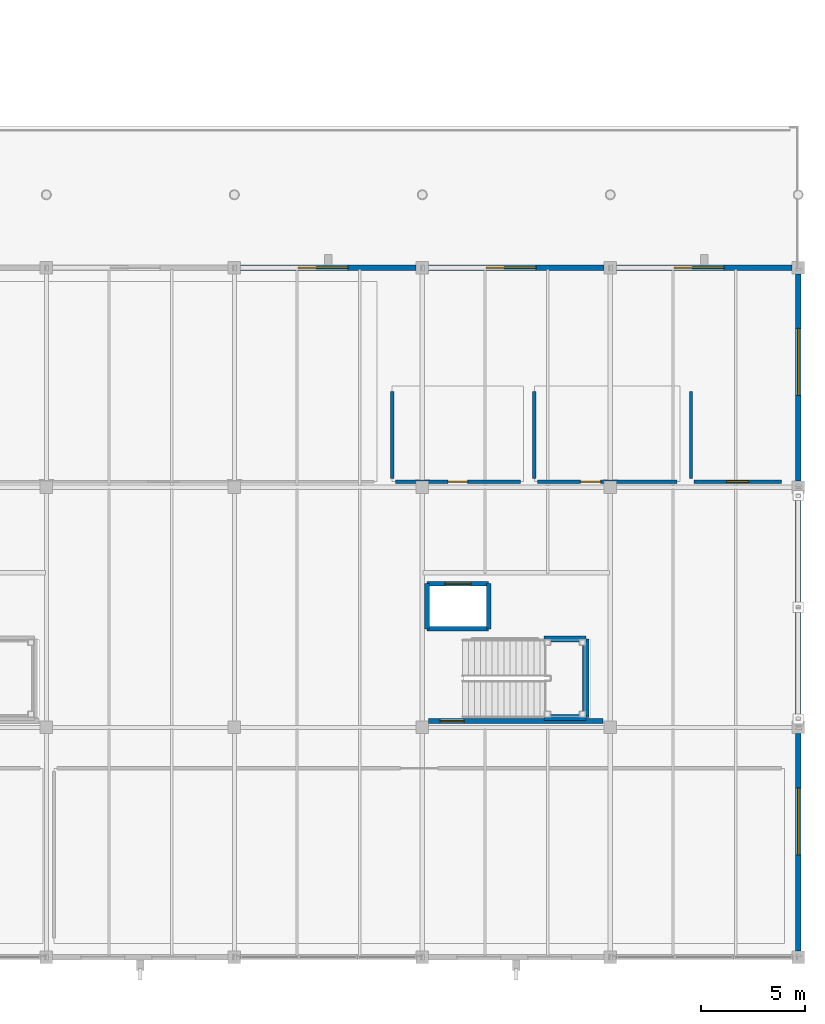
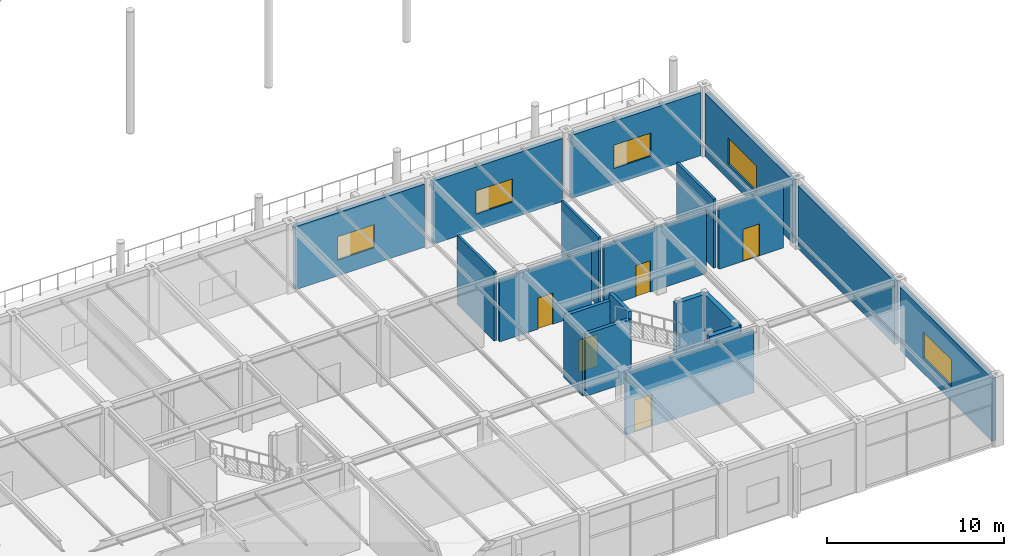
# One storey, part 88 of 143: 20 walls, 5 doors, 5 windows, 10 openings.
"""IFC4 building model written with IfcOpenShell, lengths in metres."""

from ifc_helpers import new_model, si_unit, direction, frame, frame_2d, origin, place, context, subcontext, project, spatial, rectangle, extrude, material, layer, layer_set, type_object, element, fill, save


model = new_model("IFC4")

# Units and contexts
model_context = context("Model", 3, precision=1e-05, world=origin(), true_north=direction((0.0, 1.0)))
body_context = subcontext(model_context, "Body", "Model", "MODEL_VIEW")
ifc_project = project(units=[si_unit("LENGTHUNIT", "METRE"), si_unit("AREAUNIT", "SQUARE_METRE"), si_unit("VOLUMEUNIT", "CUBIC_METRE"), si_unit("PLANEANGLEUNIT", "RADIAN"), si_unit("MASSUNIT", "GRAM", prefix="KILO")], contexts=[model_context])

# Site, building, storey
site_placement = place(None, origin())
site = spatial("IfcSite", under=ifc_project, at=site_placement, CompositionType="ELEMENT")
building_placement = place(site_placement, origin())
building = spatial("IfcBuilding", under=site, at=building_placement, Name="Marlcrest Central Station", CompositionType="ELEMENT")
storey_placement = place(building_placement, frame((0.0, 0.0, 4.800048828125)))
storey = spatial("IfcBuildingStorey", under=building, at=storey_placement, Name="L01", CompositionType="ELEMENT", Elevation=4.800048828125)

# Wall, opening, window
ifc_material_1 = material(Name="Precast concrete C40/50", Category="concrete")
ifc_layer_1 = layer(ifc_material_1, 0.260009765625, Name="EW-03")
ifc_layer_set_1 = layer_set([ifc_layer_1], Name="Precast concrete C40/50")
wall_type_1 = type_object("IfcWallType", Name="EW-03", PredefinedType="SOLIDWALL", material=ifc_layer_set_1)
wall_1_placement = place(storey_placement, frame((189.300048828125, 33.0, 0.0), z_axis=(0.0, 0.0, 1.0), x_axis=(1.0, 0.0, 0.0)))
wall_1 = element("IfcWall", 1, at=wall_1_placement, inside=storey, type_object=wall_type_1, Name="ewall-L01-0065", PredefinedType="SOLIDWALL", context=body_context, shape_type="SweptSolid", body=[
    extrude(rectangle(XDim=8.39990234375, YDim=0.260009765625, at=frame_2d((4.199951171875, 0.0))), origin(), (0.0, 0.0, 1.0), 4.349853515625),
])
opening_1_placement = place(wall_1_placement, frame((2.75, 0.0, 1.10009765625)))
opening_1 = element("IfcOpeningElement", 2, at=opening_1_placement, cuts=wall_1, Name="Opening WN-02", PredefinedType="OPENING", context=body_context, shape_type="SweptSolid", body=[
    extrude(rectangle(XDim=2.39990234375, YDim=1.60009765625, at=frame_2d((1.199951171875, 0.800048828125))), frame((0.0, 0.139892578125, 0.0), z_axis=(0.0, -1.0, 0.0), x_axis=(1.0, 0.0, 0.0)), (0.0, 0.0, 1.0), 0.280029296875),
])
ifc_material_2 = material(Name="Thermally broken bronze-anodised aluminium and laminated low-E glass", Category="aluminium")
window_type_1 = type_object("IfcWindowType", Name="WN-02", PartitioningType="SINGLE_PANEL", PredefinedType="WINDOW", material=ifc_material_2)
window_1_placement = place(opening_1_placement, origin())
window_1 = element("IfcWindow", 3, at=window_1_placement, inside=storey, type_object=window_type_1, Name="ewin-L01-0030", OverallHeight=1.60009765625, OverallWidth=2.39990234375, PartitioningType="SINGLE_PANEL", PredefinedType="WINDOW", context=body_context, shape_type="SweptSolid", body=[
    extrude(rectangle(XDim=2.39990234375, YDim=1.60009765625, at=frame_2d((1.199951171875, 0.800048828125))), frame((0.0, 0.030029296875, 0.0), z_axis=(0.0, -1.0, 0.0), x_axis=(1.0, 0.0, 0.0)), (0.0, 0.0, 1.0), 0.06005859375),
])
fill(opening_1, window_1)

wall_2_placement = place(storey_placement, frame((198.300048828125, 33.0, 0.0), z_axis=(0.0, 0.0, 1.0), x_axis=(1.0, 0.0, 0.0)))
wall_2 = element("IfcWall", 4, at=wall_2_placement, inside=storey, type_object=wall_type_1, Name="ewall-L01-0067", PredefinedType="SOLIDWALL", context=body_context, shape_type="SweptSolid", body=[
    extrude(rectangle(XDim=8.39990234375, YDim=0.260009765625, at=frame_2d((4.199951171875, 0.0))), origin(), (0.0, 0.0, 1.0), 4.349853515625),
])
opening_2_placement = place(wall_2_placement, frame((2.75, 0.0, 1.10009765625)))
opening_2 = element("IfcOpeningElement", 5, at=opening_2_placement, cuts=wall_2, Name="Opening WN-02", PredefinedType="OPENING", context=body_context, shape_type="SweptSolid", body=[
    extrude(rectangle(XDim=2.39990234375, YDim=1.60009765625, at=frame_2d((1.199951171875, 0.800048828125))), frame((0.0, 0.139892578125, 0.0), z_axis=(0.0, -1.0, 0.0), x_axis=(1.0, 0.0, 0.0)), (0.0, 0.0, 1.0), 0.280029296875),
])
window_2_placement = place(opening_2_placement, origin())
window_2 = element("IfcWindow", 6, at=window_2_placement, inside=storey, type_object=window_type_1, Name="ewin-L01-0033", OverallHeight=1.60009765625, OverallWidth=2.39990234375, PartitioningType="SINGLE_PANEL", PredefinedType="WINDOW", context=body_context, shape_type="SweptSolid", body=[
    extrude(rectangle(XDim=2.39990234375, YDim=1.60009765625, at=frame_2d((1.199951171875, 0.800048828125))), frame((0.0, 0.030029296875, 0.0), z_axis=(0.0, -1.0, 0.0), x_axis=(1.0, 0.0, 0.0)), (0.0, 0.0, 1.0), 0.06005859375),
])
fill(opening_2, window_2)

wall_3_placement = place(storey_placement, frame((207.300048828125, 33.0, 0.0), z_axis=(0.0, 0.0, 1.0), x_axis=(1.0, 0.0, 0.0)))
wall_3 = element("IfcWall", 7, at=wall_3_placement, inside=storey, type_object=wall_type_1, Name="ewall-L01-0068", PredefinedType="SOLIDWALL", context=body_context, shape_type="SweptSolid", body=[
    extrude(rectangle(XDim=8.39990234375, YDim=0.260009765625, at=frame_2d((4.199951171875, 0.0))), origin(), (0.0, 0.0, 1.0), 4.349853515625),
])
opening_3_placement = place(wall_3_placement, frame((2.75, 0.0, 1.10009765625)))
opening_3 = element("IfcOpeningElement", 8, at=opening_3_placement, cuts=wall_3, Name="Opening WN-02", PredefinedType="OPENING", context=body_context, shape_type="SweptSolid", body=[
    extrude(rectangle(XDim=2.39990234375, YDim=1.60009765625, at=frame_2d((1.199951171875, 0.800048828125))), frame((0.0, 0.139892578125, 0.0), z_axis=(0.0, -1.0, 0.0), x_axis=(1.0, 0.0, 0.0)), (0.0, 0.0, 1.0), 0.280029296875),
])
window_3_placement = place(opening_3_placement, origin())
window_3 = element("IfcWindow", 9, at=window_3_placement, inside=storey, type_object=window_type_1, Name="ewin-L01-0034", OverallHeight=1.60009765625, OverallWidth=2.39990234375, PartitioningType="SINGLE_PANEL", PredefinedType="WINDOW", context=body_context, shape_type="SweptSolid", body=[
    extrude(rectangle(XDim=2.39990234375, YDim=1.60009765625, at=frame_2d((1.199951171875, 0.800048828125))), frame((0.0, 0.030029296875, 0.0), z_axis=(0.0, -1.0, 0.0), x_axis=(1.0, 0.0, 0.0)), (0.0, 0.0, 1.0), 0.06005859375),
])
fill(opening_3, window_3)

wall_4_placement = place(storey_placement, frame((216.0, 10.699951171875, 0.0), z_axis=(0.0, 0.0, 1.0), x_axis=(0.0, -1.0, 0.0)))
wall_4 = element("IfcWall", 10, at=wall_4_placement, inside=storey, type_object=wall_type_1, Name="ewall-L01-0070", PredefinedType="SOLIDWALL", context=body_context, shape_type="SweptSolid", body=[
    extrude(rectangle(XDim=10.39990234375, YDim=0.260009765625, at=frame_2d((5.199951171875, 0.0))), origin(), (0.0, 0.0, 1.0), 4.349853515625),
])
opening_4_placement = place(wall_4_placement, frame((2.60009765625, 0.0, 1.050048828125)))
opening_4 = element("IfcOpeningElement", 11, at=opening_4_placement, cuts=wall_4, Name="Opening WN-07", PredefinedType="OPENING", context=body_context, shape_type="SweptSolid", body=[
    extrude(rectangle(XDim=3.199951171875, YDim=1.800048828125, at=frame_2d((1.60009765625, 0.89990234375))), frame((0.0, 0.139892578125, 0.0), z_axis=(0.0, -1.0, 0.0), x_axis=(1.0, 0.0, 0.0)), (0.0, 0.0, 1.0), 0.280029296875),
])
window_type_2 = type_object("IfcWindowType", Name="WN-07", PartitioningType="SINGLE_PANEL", PredefinedType="WINDOW", material=ifc_material_2)
window_4_placement = place(opening_4_placement, origin())
window_4 = element("IfcWindow", 12, at=window_4_placement, inside=storey, type_object=window_type_2, Name="ewin-L01-0035", OverallHeight=1.800048828125, OverallWidth=3.199951171875, PartitioningType="SINGLE_PANEL", PredefinedType="WINDOW", context=body_context, shape_type="SweptSolid", body=[
    extrude(rectangle(XDim=3.199951171875, YDim=1.800048828125, at=frame_2d((1.60009765625, 0.89990234375))), frame((0.0, 0.030029296875, 0.0), z_axis=(0.0, -1.0, 0.0), x_axis=(1.0, 0.0, 0.0)), (0.0, 0.0, 1.0), 0.06005859375),
])
fill(opening_4, window_4)

# Wall
wall_5_placement = place(storey_placement, frame((216.0, 22.199951171875, 0.0), z_axis=(0.0, 0.0, 1.0), x_axis=(0.0, -1.0, 0.0)))
element("IfcWall", 13, at=wall_5_placement, inside=storey, type_object=wall_type_1, Name="ewall-L01-0072", PredefinedType="SOLIDWALL", context=body_context, shape_type="SweptSolid", body=[
    extrude(rectangle(XDim=10.89990234375, YDim=0.260009765625, at=frame_2d((5.449951171875, 0.0))), origin(), (0.0, 0.0, 1.0), 4.349853515625),
])

# Wall, opening, window
wall_6_placement = place(storey_placement, frame((216.0, 32.699951171875, 0.0), z_axis=(0.0, 0.0, 1.0), x_axis=(0.0, -1.0, 0.0)))
wall_6 = element("IfcWall", 14, at=wall_6_placement, inside=storey, type_object=wall_type_1, Name="ewall-L01-0074", PredefinedType="SOLIDWALL", context=body_context, shape_type="SweptSolid", body=[
    extrude(rectangle(XDim=9.89990234375, YDim=0.260009765625, at=frame_2d((4.949951171875, 0.0))), origin(), (0.0, 0.0, 1.0), 4.349853515625),
])
opening_5_placement = place(wall_6_placement, frame((2.60009765625, 0.0, 1.050048828125)))
opening_5 = element("IfcOpeningElement", 15, at=opening_5_placement, cuts=wall_6, Name="Opening WN-07", PredefinedType="OPENING", context=body_context, shape_type="SweptSolid", body=[
    extrude(rectangle(XDim=3.199951171875, YDim=1.800048828125, at=frame_2d((1.60009765625, 0.89990234375))), frame((0.0, 0.139892578125, 0.0), z_axis=(0.0, -1.0, 0.0), x_axis=(1.0, 0.0, 0.0)), (0.0, 0.0, 1.0), 0.280029296875),
])
window_5_placement = place(opening_5_placement, origin())
window_5 = element("IfcWindow", 16, at=window_5_placement, inside=storey, type_object=window_type_2, Name="ewin-L01-0037", OverallHeight=1.800048828125, OverallWidth=3.199951171875, PartitioningType="SINGLE_PANEL", PredefinedType="WINDOW", context=body_context, shape_type="SweptSolid", body=[
    extrude(rectangle(XDim=3.199951171875, YDim=1.800048828125, at=frame_2d((1.60009765625, 0.89990234375))), frame((0.0, 0.030029296875, 0.0), z_axis=(0.0, -1.0, 0.0), x_axis=(1.0, 0.0, 0.0)), (0.0, 0.0, 1.0), 0.06005859375),
])
fill(opening_5, window_5)

# Wall, opening, door
ifc_material_3 = material(Name="Moisture-resistant tiled sanitary partition")
ifc_layer_2 = layer(ifc_material_3, 0.159912109375, Name="PT-03")
ifc_layer_set_2 = layer_set([ifc_layer_2], Name="Moisture-resistant tiled sanitary partition")
wall_type_2 = type_object("IfcWallType", Name="PT-03", PredefinedType="PARTITIONING", material=ifc_layer_set_2)
wall_7_placement = place(storey_placement, frame((202.68994140625, 22.760009765625, 0.0), z_axis=(0.0, 0.0, 1.0), x_axis=(-1.0, 0.0, 0.0)))
wall_7 = element("IfcWall", 17, at=wall_7_placement, inside=storey, type_object=wall_type_2, Name="iwall-L01-00086", PredefinedType="PARTITIONING", context=body_context, shape_type="SweptSolid", body=[
    extrude(rectangle(XDim=5.97998046875, YDim=0.159912109375, at=frame_2d((2.989990234375, 0.0))), origin(), (0.0, 0.0, 1.0), 4.284912109375),
])
opening_6_placement = place(wall_7_placement, frame((2.514892578125, 0.0, 0.0)))
opening_6 = element("IfcOpeningElement", 18, at=opening_6_placement, cuts=wall_7, Name="Opening ID-01", PredefinedType="OPENING", context=body_context, shape_type="SweptSolid", body=[
    extrude(rectangle(XDim=0.949951171875, YDim=2.14990234375, at=frame_2d((0.47509765625, 1.074951171875))), frame((0.0, 0.08984375, 0.0), z_axis=(0.0, -1.0, 0.0), x_axis=(1.0, 0.0, 0.0)), (0.0, 0.0, 1.0), 0.179931640625),
])
ifc_material_4 = material(Name="Solid-core hardwood acoustic door", Category="wood")
door_type_1 = type_object("IfcDoorType", Name="ID-01", OperationType="NOTDEFINED", PredefinedType="DOOR", material=ifc_material_4)
door_1_placement = place(opening_6_placement, origin())
door_1 = element("IfcDoor", 19, at=door_1_placement, inside=storey, type_object=door_type_1, Name="L01-WC-E1 0052", OperationType="SINGLE_SWING_RIGHT", OverallHeight=2.14990234375, OverallWidth=0.949951171875, PredefinedType="DOOR", context=body_context, shape_type="SweptSolid", body=[
    extrude(rectangle(XDim=0.949951171875, YDim=2.14990234375, at=frame_2d((0.47509765625, 1.074951171875))), frame((0.0, 0.02490234375, 0.0), z_axis=(0.0, -1.0, 0.0), x_axis=(1.0, 0.0, 0.0)), (0.0, 0.0, 1.0), 0.050048828125),
])
fill(opening_6, door_1)

# Wall
wall_8_placement = place(storey_placement, frame((196.56005859375, 22.909912109375, 0.0), z_axis=(0.0, 0.0, 1.0), x_axis=(0.0, 1.0, 0.0)))
element("IfcWall", 20, at=wall_8_placement, inside=storey, type_object=wall_type_2, Name="iwall-L01-00087", PredefinedType="PARTITIONING", context=body_context, shape_type="SweptSolid", body=[
    extrude(rectangle(XDim=4.18017578125, YDim=0.159912109375, at=frame_2d((2.090087890625, 0.0))), origin(), (0.0, 0.0, 1.0), 4.75),
])

# Wall, opening, door
wall_9_placement = place(storey_placement, frame((210.18994140625, 22.760009765625, 0.0), z_axis=(0.0, 0.0, 1.0), x_axis=(-1.0, 0.0, 0.0)))
wall_9 = element("IfcWall", 21, at=wall_9_placement, inside=storey, type_object=wall_type_2, Name="iwall-L01-00088", PredefinedType="PARTITIONING", context=body_context, shape_type="SweptSolid", body=[
    extrude(rectangle(XDim=6.679931640625, YDim=0.159912109375, at=frame_2d((3.33984375, 0.0))), origin(), (0.0, 0.0, 1.0), 4.284912109375),
])
opening_7_placement = place(wall_9_placement, frame((3.657958984375, 0.0, 0.0)))
opening_7 = element("IfcOpeningElement", 22, at=opening_7_placement, cuts=wall_9, Name="Opening ID-01", PredefinedType="OPENING", context=body_context, shape_type="SweptSolid", body=[
    extrude(rectangle(XDim=0.949951171875, YDim=2.14990234375, at=frame_2d((0.47509765625, 1.074951171875))), frame((0.0, 0.08984375, 0.0), z_axis=(0.0, -1.0, 0.0), x_axis=(1.0, 0.0, 0.0)), (0.0, 0.0, 1.0), 0.179931640625),
])
door_2_placement = place(opening_7_placement, origin())
door_2 = element("IfcDoor", 23, at=door_2_placement, inside=storey, type_object=door_type_1, Name="L01-WC-E2 0053", OperationType="SINGLE_SWING_LEFT", OverallHeight=2.14990234375, OverallWidth=0.949951171875, PredefinedType="DOOR", context=body_context, shape_type="SweptSolid", body=[
    extrude(rectangle(XDim=0.949951171875, YDim=2.14990234375, at=frame_2d((0.47509765625, 1.074951171875))), frame((0.0, 0.02490234375, 0.0), z_axis=(0.0, -1.0, 0.0), x_axis=(1.0, 0.0, 0.0)), (0.0, 0.0, 1.0), 0.050048828125),
])
fill(opening_7, door_2)

# Wall
wall_10_placement = place(storey_placement, frame((203.360107421875, 22.909912109375, 0.0), z_axis=(0.0, 0.0, 1.0), x_axis=(0.0, 1.0, 0.0)))
element("IfcWall", 24, at=wall_10_placement, inside=storey, type_object=wall_type_2, Name="iwall-L01-00089", PredefinedType="PARTITIONING", context=body_context, shape_type="SweptSolid", body=[
    extrude(rectangle(XDim=4.18017578125, YDim=0.159912109375, at=frame_2d((2.090087890625, 0.0))), origin(), (0.0, 0.0, 1.0), 4.75),
])

# Wall, opening, door
wall_11_placement = place(storey_placement, frame((215.18994140625, 22.760009765625, 0.0), z_axis=(0.0, 0.0, 1.0), x_axis=(-1.0, 0.0, 0.0)))
wall_11 = element("IfcWall", 25, at=wall_11_placement, inside=storey, type_object=wall_type_2, Name="iwall-L01-00090", PredefinedType="PARTITIONING", context=body_context, shape_type="SweptSolid", body=[
    extrude(rectangle(XDim=4.179931640625, YDim=0.159912109375, at=frame_2d((2.08984375, 0.0))), origin(), (0.0, 0.0, 1.0), 4.284912109375),
])
opening_8_placement = place(wall_11_placement, frame((1.56494140625, 0.0, 0.0)))
opening_8 = element("IfcOpeningElement", 26, at=opening_8_placement, cuts=wall_11, Name="Opening ID-03", PredefinedType="OPENING", context=body_context, shape_type="SweptSolid", body=[
    extrude(rectangle(XDim=1.050048828125, YDim=2.199951171875, at=frame_2d((0.52490234375, 1.10009765625))), frame((0.0, 0.08984375, 0.0), z_axis=(0.0, -1.0, 0.0), x_axis=(1.0, 0.0, 0.0)), (0.0, 0.0, 1.0), 0.179931640625),
])
ifc_material_5 = material(Name="Accessible sanitary outward-opening door")
door_type_2 = type_object("IfcDoorType", Name="ID-03", OperationType="NOTDEFINED", PredefinedType="DOOR", material=ifc_material_5)
door_3_placement = place(opening_8_placement, origin())
door_3 = element("IfcDoor", 27, at=door_3_placement, inside=storey, type_object=door_type_2, Name="L01-WC-EA 0054", OperationType="SINGLE_SWING_RIGHT", OverallHeight=2.199951171875, OverallWidth=1.050048828125, PredefinedType="DOOR", context=body_context, shape_type="SweptSolid", body=[
    extrude(rectangle(XDim=1.050048828125, YDim=2.199951171875, at=frame_2d((0.52490234375, 1.10009765625))), frame((0.0, 0.02490234375, 0.0), z_axis=(0.0, -1.0, 0.0), x_axis=(1.0, 0.0, 0.0)), (0.0, 0.0, 1.0), 0.050048828125),
])
fill(opening_8, door_3)

# Wall
wall_12_placement = place(storey_placement, frame((210.860107421875, 22.909912109375, 0.0), z_axis=(0.0, 0.0, 1.0), x_axis=(0.0, 1.0, 0.0)))
element("IfcWall", 28, at=wall_12_placement, inside=storey, type_object=wall_type_2, Name="iwall-L01-00091", PredefinedType="PARTITIONING", context=body_context, shape_type="SweptSolid", body=[
    extrude(rectangle(XDim=4.18017578125, YDim=0.159912109375, at=frame_2d((2.090087890625, 0.0))), origin(), (0.0, 0.0, 1.0), 4.75),
])

# Wall, opening, door
ifc_material_6 = material(Name="Concrete C40/50", Category="concrete")
ifc_layer_3 = layer(ifc_material_6, 0.22998046875, Name="SHW-01")
ifc_layer_set_3 = layer_set([ifc_layer_3], Name="Concrete C40/50")
wall_type_3 = type_object("IfcWallType", Name="SHW-01", PredefinedType="SOLIDWALL", material=ifc_layer_set_3)
wall_13_placement = place(storey_placement, frame((198.219970703125, 17.8798828125, 0.0), z_axis=(0.0, 0.0, 1.0), x_axis=(1.0, 0.0, 0.0)))
wall_13 = element("IfcWall", 29, at=wall_13_placement, inside=storey, type_object=wall_type_3, Name="iwall-L01-00335", PredefinedType="SOLIDWALL", context=body_context, shape_type="SweptSolid", body=[
    extrude(rectangle(XDim=2.9599609375, YDim=0.22998046875, at=frame_2d((1.47998046875, 0.0))), origin(), (0.0, 0.0, 1.0), 4.284912109375),
])
opening_9_placement = place(wall_13_placement, frame((0.85498046875, 0.0, 0.0)))
opening_9 = element("IfcOpeningElement", 30, at=opening_9_placement, cuts=wall_13, Name="Opening LD-02", PredefinedType="OPENING", context=body_context, shape_type="SweptSolid", body=[
    extrude(rectangle(XDim=1.25, YDim=2.199951171875, at=frame_2d((0.625, 1.10009765625))), frame((0.0, 0.125, 0.0), z_axis=(0.0, -1.0, 0.0), x_axis=(1.0, 0.0, 0.0)), (0.0, 0.0, 1.0), 0.25),
])
ifc_material_7 = material(Name="Stainless steel stretcher/firefighting lift landing door", Category="steel")
door_type_3 = type_object("IfcDoorType", Name="LD-02", OperationType="DOUBLE_DOOR_SLIDING", PredefinedType="DOOR", material=ifc_material_7)
door_4_placement = place(opening_9_placement, origin())
door_4 = element("IfcDoor", 31, at=door_4_placement, inside=storey, type_object=door_type_3, Name="LF-R2 Lift Landing Door 0154", OperationType="DOUBLE_DOOR_SLIDING", OverallHeight=2.199951171875, OverallWidth=1.25, PredefinedType="DOOR", context=body_context, shape_type="SweptSolid", body=[
    extrude(rectangle(XDim=1.25, YDim=2.199951171875, at=frame_2d((0.625, 1.10009765625))), frame((0.0, 0.02490234375, 0.0), z_axis=(0.0, -1.0, 0.0), x_axis=(1.0, 0.0, 0.0)), (0.0, 0.0, 1.0), 0.050048828125),
])
fill(opening_9, door_4)

# Walls
wall_14_placement = place(storey_placement, frame((201.179931640625, 15.719970703125, 0.0), z_axis=(0.0, 0.0, 1.0), x_axis=(-1.0, 0.0, 0.0)))
element("IfcWall", 32, at=wall_14_placement, inside=storey, type_object=wall_type_3, Name="iwall-L01-00336", PredefinedType="SOLIDWALL", context=body_context, shape_type="SweptSolid", body=[
    extrude(rectangle(XDim=2.9599609375, YDim=0.22998046875, at=frame_2d((1.47998046875, 0.0))), origin(), (0.0, 0.0, 1.0), 4.284912109375),
])
wall_15_placement = place(storey_placement, frame((198.219970703125, 15.719970703125, 0.0), z_axis=(0.0, 0.0, 1.0), x_axis=(0.0, 1.0, 0.0)))
element("IfcWall", 33, at=wall_15_placement, inside=storey, type_object=wall_type_3, Name="iwall-L01-00337", PredefinedType="SOLIDWALL", context=body_context, shape_type="SweptSolid", body=[
    extrude(rectangle(XDim=2.159912109375, YDim=0.22998046875, at=frame_2d((1.080078125, 0.0))), origin(), (0.0, 0.0, 1.0), 4.284912109375),
])
wall_16_placement = place(storey_placement, frame((201.179931640625, 17.8798828125, 0.0), z_axis=(0.0, 0.0, 1.0), x_axis=(0.0, -1.0, 0.0)))
element("IfcWall", 34, at=wall_16_placement, inside=storey, type_object=wall_type_3, Name="iwall-L01-00338", PredefinedType="SOLIDWALL", context=body_context, shape_type="SweptSolid", body=[
    extrude(rectangle(XDim=2.159912109375, YDim=0.22998046875, at=frame_2d((1.080078125, 0.0))), origin(), (0.0, 0.0, 1.0), 4.760009765625),
])

# Wall, opening, door
wall_17_placement = place(storey_placement, frame((198.300048828125, 11.300048828125, 0.0), z_axis=(0.0, 0.0, 1.0), x_axis=(1.0, 0.0, 0.0)))
wall_17 = element("IfcWall", 35, at=wall_17_placement, inside=storey, type_object=wall_type_3, Name="iwall-L01-00423", PredefinedType="SOLIDWALL", context=body_context, shape_type="SweptSolid", body=[
    extrude(rectangle(XDim=8.349853515625, YDim=0.22998046875, at=frame_2d((4.1748046875, 0.0))), origin(), (0.0, 0.0, 1.0), 4.284912109375),
])
opening_10_placement = place(wall_17_placement, frame((0.550048828125, 0.0, 0.0)))
opening_10 = element("IfcOpeningElement", 36, at=opening_10_placement, cuts=wall_17, Name="Opening FD-90", PredefinedType="OPENING", context=body_context, shape_type="SweptSolid", body=[
    extrude(rectangle(XDim=1.14990234375, YDim=2.199951171875, at=frame_2d((0.574951171875, 1.10009765625))), frame((0.0, 0.125, 0.0), z_axis=(0.0, -1.0, 0.0), x_axis=(1.0, 0.0, 0.0)), (0.0, 0.0, 1.0), 0.25),
])
ifc_material_8 = material(Name="90-minute stair and firefighting-lobby fire door")
door_type_4 = type_object("IfcDoorType", Name="FD-90", OperationType="NOTDEFINED", PredefinedType="DOOR", material=ifc_material_8)
door_5_placement = place(opening_10_placement, origin())
door_5 = element("IfcDoor", 37, at=door_5_placement, inside=storey, type_object=door_type_4, Name="ST-R21 Stair Enclosure Door 0180", OperationType="SINGLE_SWING_LEFT", OverallHeight=2.199951171875, OverallWidth=1.14990234375, PredefinedType="DOOR", context=body_context, shape_type="SweptSolid", body=[
    extrude(rectangle(XDim=1.14990234375, YDim=2.199951171875, at=frame_2d((0.574951171875, 1.10009765625))), frame((0.0, 0.02490234375, 0.0), z_axis=(0.0, -1.0, 0.0), x_axis=(1.0, 0.0, 0.0)), (0.0, 0.0, 1.0), 0.050048828125),
])
fill(opening_10, door_5)

# Walls
ifc_material_9 = material(Name="Concrete C50/60", Category="concrete")
ifc_layer_4 = layer(ifc_material_9, 0.300048828125, Name="SW-02")
ifc_layer_set_4 = layer_set([ifc_layer_4], Name="Concrete C50/60")
wall_type_4 = type_object("IfcWallType", Name="SW-02", PredefinedType="SHEAR", material=ifc_layer_set_4)
wall_18_placement = place(storey_placement, frame((203.830078125, 11.469970703125, 0.0), z_axis=(0.0, 0.0, 1.0), x_axis=(1.0, 0.0, 0.0)))
element("IfcWall", 38, at=wall_18_placement, inside=storey, type_object=wall_type_4, Name="htsw-0040-S", PredefinedType="SHEAR", context=body_context, shape_type="SweptSolid", body=[
    extrude(rectangle(XDim=2.0, YDim=0.300048828125, at=frame_2d((1.0, 0.0))), origin(), (0.0, 0.0, 1.0), 4.75),
])
wall_19_placement = place(storey_placement, frame((205.830078125, 11.469970703125, 0.0), z_axis=(0.0, 0.0, 1.0), x_axis=(0.0, 1.0, 0.0)))
element("IfcWall", 39, at=wall_19_placement, inside=storey, type_object=wall_type_4, Name="htsw-0040-E", PredefinedType="SHEAR", context=body_context, shape_type="SweptSolid", body=[
    extrude(rectangle(XDim=3.760009765625, YDim=0.300048828125, at=frame_2d((1.8798828125, 0.0))), origin(), (0.0, 0.0, 1.0), 4.75),
])
wall_20_placement = place(storey_placement, frame((205.830078125, 15.22998046875, 0.0), z_axis=(0.0, 0.0, 1.0), x_axis=(-1.0, 0.0, 0.0)))
element("IfcWall", 40, at=wall_20_placement, inside=storey, type_object=wall_type_4, Name="htsw-0040-N", PredefinedType="SHEAR", context=body_context, shape_type="SweptSolid", body=[
    extrude(rectangle(XDim=2.0, YDim=0.300048828125, at=frame_2d((1.0, 0.0))), origin(), (0.0, 0.0, 1.0), 4.75),
])

save(model, "model.ifc")
